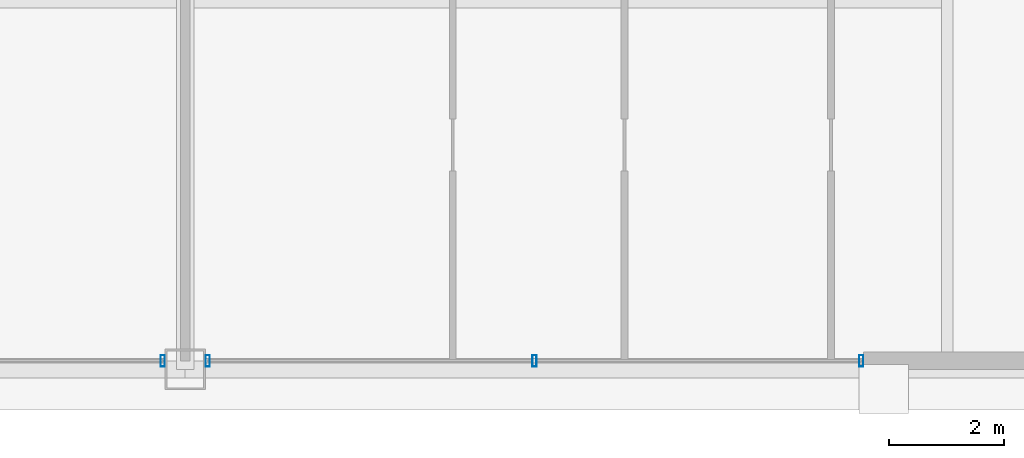
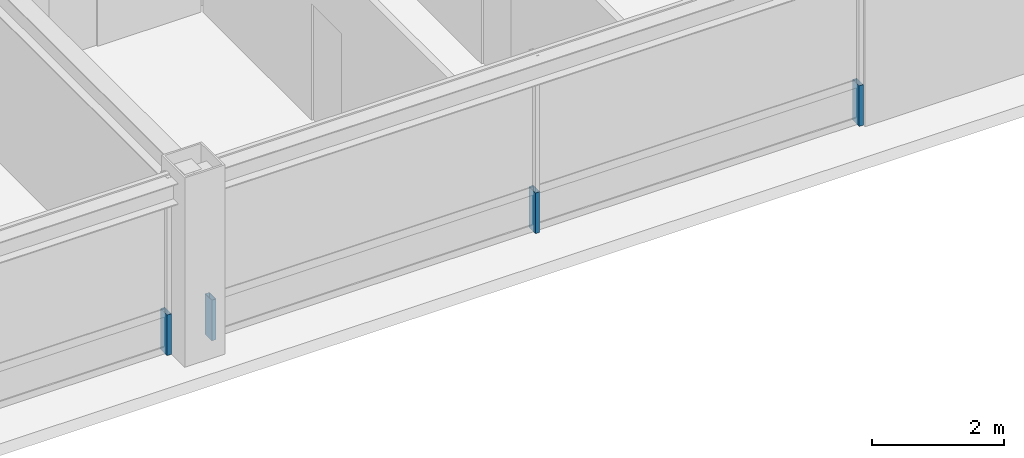
# One storey, part 23 of 34: 4 members, 2 elements without a shape of their own.
"""IFC4 building model written with IfcOpenShell, lengths in metres."""

from ifc_helpers import new_model, si_unit, direction, frame, origin, origin_2d, place, context, subcontext, project, spatial, hollow_rectangle, extrude, source, transform, mapped, material, layer, layer_set, material_profile, profile_set, type_object, element, aggregate, save


model = new_model("IFC4")

# Units and contexts
model_context = context("Model", 3, precision=1e-05, world=origin(), true_north=direction((0.0, 1.0)))
body_context = subcontext(model_context, "Body", "Model", "MODEL_VIEW")
ifc_project = project(units=[si_unit("LENGTHUNIT", "METRE"), si_unit("AREAUNIT", "SQUARE_METRE"), si_unit("VOLUMEUNIT", "CUBIC_METRE"), si_unit("PLANEANGLEUNIT", "RADIAN"), si_unit("MASSUNIT", "GRAM", prefix="KILO"), si_unit("THERMODYNAMICTEMPERATUREUNIT", "KELVIN"), si_unit("POWERUNIT", "WATT")], contexts=[model_context])

# Site, building, storey
site_placement = place(None, origin())
site = spatial("IfcSite", under=ifc_project, at=site_placement, CompositionType="ELEMENT")
building_placement = place(site_placement, origin())
building = spatial("IfcBuilding", under=site, at=building_placement, Name="Yuzanri Waterfront Tower", CompositionType="ELEMENT")
storey_placement = place(building_placement, frame((0.0, 0.0, 325.199951171875)))
storey = spatial("IfcBuildingStorey", under=building, at=storey_placement, Name="L87", CompositionType="ELEMENT", Elevation=325.199951171875)

# Curtain wall, member
ifc_material_1 = material(Name="Anodized Architectural Bronze", Category="metal")
ifc_layer = layer(ifc_material_1, 0.159912109375)
ifc_layer_set = layer_set([ifc_layer], Name="Anodized Architectural Bronze")
curtain_wall_type = type_object("IfcCurtainWallType", Name="Anodized Bronze High-Rise Penthouse High-Wind Unitized Curtain Wall 6900", PredefinedType="NOTDEFINED", material=ifc_layer_set)
curtain_wall_1_placement = place(storey_placement, origin())
curtain_wall_1 = element("IfcCurtainWall", 1, at=curtain_wall_1_placement, inside=storey, type_object=curtain_wall_type, Name="L87 Curtain Wall CW-L87-SL", PredefinedType="NOTDEFINED")
ifc_material_2 = material(Name="Anodized Architectural Bronze", Category="metal")
ifc_material_profile = material_profile(ifc_material_2, hollow_rectangle(XDim=0.074951171875, YDim=0.199951171875, WallThickness=0.00390625, at=origin_2d()), Name="CWM 75x200")
ifc_profile_set = profile_set([ifc_material_profile], Name="Anodized Architectural Bronze")
member_type = type_object("IfcMemberType", Name="Anodized Bronze Primary Curtain-Wall Mullion 75x200", PredefinedType="MULLION", material=ifc_profile_set)
shared_shape = source(origin(), body_context, "Body", "SweptSolid", [
    extrude(hollow_rectangle(XDim=0.074951171875, YDim=0.199951171875, WallThickness=0.00390625, at=origin_2d()), origin(), (0.0, 0.0, 1.0), 0.751953125),
])
member_1_placement = place(storey_placement, frame((36.610107421875, 6.85009765625, 0.0), z_axis=(0.0, 0.0, 1.0), x_axis=(1.0, 0.0, 0.0)))
member_1 = element("IfcMember", 2, at=member_1_placement, type_object=member_type, Name="CW-L87-SL Lower Mullion 02", PredefinedType="MULLION", context=body_context, shape_type="MappedRepresentation", body=[
    mapped(shared_shape, transform((0.0, 0.0, 0.0), scale=1.0)),
])
aggregate(curtain_wall_1, [member_1])

# Curtain wall, members
curtain_wall_2_placement = place(storey_placement, origin())
curtain_wall_2 = element("IfcCurtainWall", 3, at=curtain_wall_2_placement, inside=storey, type_object=curtain_wall_type, Name="L87 Curtain Wall CW-L87-SR", PredefinedType="NOTDEFINED")
member_2_placement = place(storey_placement, frame((37.389892578125, 6.85009765625, 0.0), z_axis=(0.0, 0.0, 1.0), x_axis=(1.0, 0.0, 0.0)))
member_2 = element("IfcMember", 4, at=member_2_placement, type_object=member_type, Name="CW-L87-SR Lower Mullion 00", PredefinedType="MULLION", context=body_context, shape_type="MappedRepresentation", body=[
    mapped(shared_shape, transform((0.0, 0.0, 0.0), scale=1.0)),
])
member_3_placement = place(storey_placement, frame((43.050048828125, 6.85009765625, 0.0), z_axis=(0.0, 0.0, 1.0), x_axis=(1.0, 0.0, 0.0)))
member_3 = element("IfcMember", 5, at=member_3_placement, type_object=member_type, Name="CW-L87-SR Lower Mullion 01", PredefinedType="MULLION", context=body_context, shape_type="MappedRepresentation", body=[
    mapped(shared_shape, transform((0.0, 0.0, 0.0), scale=1.0)),
])
member_4_placement = place(storey_placement, frame((48.7099609375, 6.85009765625, 0.0), z_axis=(0.0, 0.0, 1.0), x_axis=(1.0, 0.0, 0.0)))
member_4 = element("IfcMember", 6, at=member_4_placement, type_object=member_type, Name="CW-L87-SR Lower Mullion 02", PredefinedType="MULLION", context=body_context, shape_type="MappedRepresentation", body=[
    mapped(shared_shape, transform((0.0, 0.0, 0.0), scale=1.0)),
])
aggregate(curtain_wall_2, [member_2, member_3, member_4])

save(model, "model.ifc")
